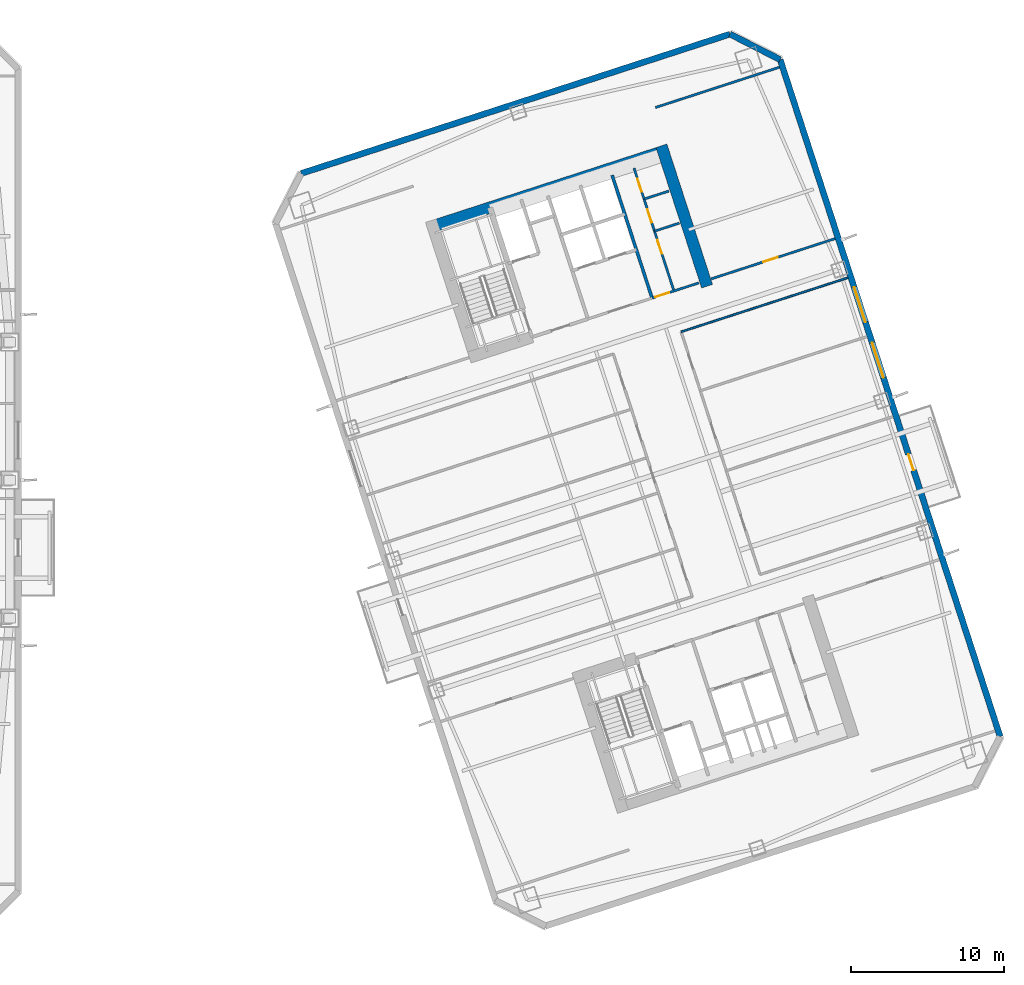
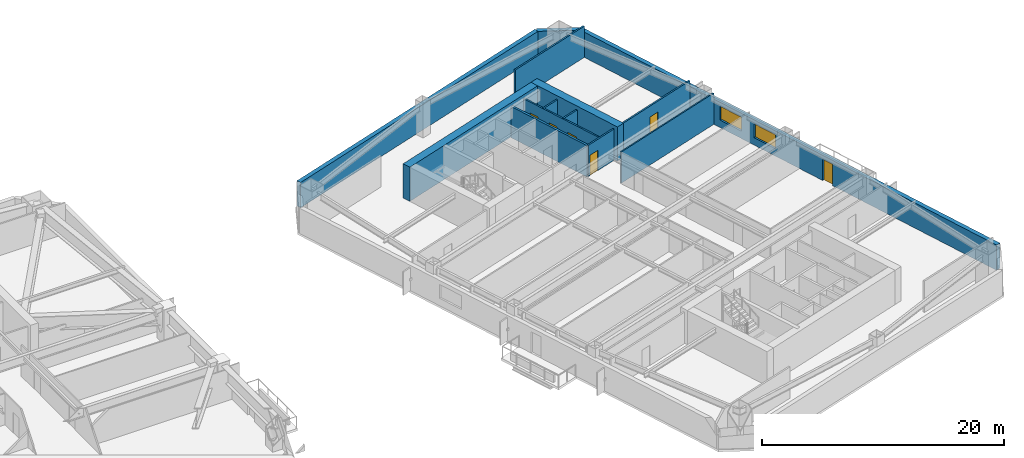
# One storey, part 11 of 19: 13 walls, 6 doors, 2 windows, 8 openings.
"""IFC4 building model written with IfcOpenShell, lengths in metres."""

from ifc_helpers import new_model, si_unit, direction, frame, frame_2d, origin, place, context, subcontext, project, spatial, rectangle, extrude, material, layer, layer_set, type_object, element, fill, save


model = new_model("IFC4")

# Units and contexts
model_context = context("Model", 3, precision=1e-05, world=origin(), true_north=direction((0.0, 1.0)))
body_context = subcontext(model_context, "Body", "Model", "MODEL_VIEW")
ifc_project = project(units=[si_unit("LENGTHUNIT", "METRE"), si_unit("AREAUNIT", "SQUARE_METRE"), si_unit("VOLUMEUNIT", "CUBIC_METRE"), si_unit("PLANEANGLEUNIT", "RADIAN"), si_unit("MASSUNIT", "GRAM", prefix="KILO")], contexts=[model_context])

# Site, building, storey
site_placement = place(None, origin())
site = spatial("IfcSite", under=ifc_project, at=site_placement, CompositionType="ELEMENT")
building_placement = place(site_placement, origin())
building = spatial("IfcBuilding", under=site, at=building_placement, Name="Qiaolan Cultural Towers", CompositionType="ELEMENT")
storey_placement = place(building_placement, frame((0.0, 0.0, 88.550048828125)))
storey = spatial("IfcBuildingStorey", under=building, at=storey_placement, Name="L22", CompositionType="ELEMENT", Elevation=88.550048828125)

# Walls
ifc_material_1 = material(Name="Concrete C60", Category="concrete")
ifc_layer_1 = layer(ifc_material_1, 0.75)
ifc_layer_set_1 = layer_set([ifc_layer_1], Name="Concrete C60")
wall_type_1 = type_object("IfcWallType", Name="WL-CORE-750", PredefinedType="SHEAR", material=ifc_layer_set_1)
wall_1_placement = place(storey_placement, frame((76.27197265625, 50.442626953125, 0.0), z_axis=(0.0, 0.0, 1.0), x_axis=(0.951056072937, 0.309018358888, 0.0)))
element("IfcWall", 1, at=wall_1_placement, inside=storey, type_object=wall_type_1, Name="L22 T2-CN Outer Core Shear Wall", PredefinedType="SHEAR", context=body_context, shape_type="SweptSolid", body=[
    extrude(rectangle(XDim=16.550048828125, YDim=0.75, at=frame_2d((8.27490234375, 0.0))), origin(), (0.0, 0.0, 1.0), 3.449951171875),
])
wall_2_placement = place(storey_placement, frame((94.515380859375, 46.638916015625, 0.0), z_axis=(0.0, 0.0, 1.0), x_axis=(-0.309016134813, 0.951056795583, 0.0)))
element("IfcWall", 2, at=wall_2_placement, inside=storey, type_object=wall_type_1, Name="L22 T2-CN East Core Shear Wall", PredefinedType="SHEAR", context=body_context, shape_type="SweptSolid", body=[
    extrude(rectangle(XDim=9.630126953125, YDim=0.75, at=frame_2d((4.81494140625, 0.0))), origin(), (0.0, 0.0, 1.0), 3.449951171875),
])
ifc_material_2 = material(Name="Precast Concrete C50 Honed Stone Pier", Category="masonry")
ifc_layer_2 = layer(ifc_material_2, 0.39990234375)
ifc_layer_set_2 = layer_set([ifc_layer_2], Name="Precast Concrete C50 Honed Stone Pier")
wall_type_2 = type_object("IfcWallType", Name="WL-EXT-PIER-400", PredefinedType="SOLIDWALL", material=ifc_layer_set_2)
wall_3_placement = place(storey_placement, frame((68.046875, 53.99462890625, 0.0), z_axis=(0.0, 0.0, 1.0), x_axis=(0.95105505922, 0.309021478754, 0.0)))
element("IfcWall", 3, at=wall_3_placement, inside=storey, type_object=wall_type_2, Name="L22 East Tower Precast Pier Facade Wall F3", PredefinedType="SOLIDWALL", context=body_context, shape_type="SweptSolid", body=[
    extrude(rectangle(XDim=29.39990234375, YDim=0.39990234375, at=frame_2d((14.699951171875, 0.0))), origin(), (0.0, 0.0, 1.0), 2.550048828125),
])
wall_4_placement = place(storey_placement, frame((96.0078125, 63.079833984375, 0.0), z_axis=(0.0, 0.0, 1.0), x_axis=(0.891001999643, -0.45399937955, 0.0)))
element("IfcWall", 4, at=wall_4_placement, inside=storey, type_object=wall_type_2, Name="L22 East Tower Precast Pier Facade Wall F4", PredefinedType="SOLIDWALL", context=body_context, shape_type="SweptSolid", body=[
    extrude(rectangle(XDim=3.67724609375, YDim=0.39990234375, at=frame_2d((1.838623046875, 0.0))), origin(), (0.0, 0.0, 1.0), 2.550048828125),
])

# Wall, openings, door, windows
wall_5_placement = place(storey_placement, frame((99.2841796875, 61.410400390625, 0.0), z_axis=(0.0, 0.0, 1.0), x_axis=(0.309017542002, -0.95105633836, 0.0)))
wall_5 = element("IfcWall", 5, at=wall_5_placement, inside=storey, type_object=wall_type_2, Name="L22 East Tower Precast Pier Facade Wall F5", PredefinedType="SOLIDWALL", context=body_context, shape_type="SweptSolid", body=[
    extrude(rectangle(XDim=46.39990234375, YDim=0.39990234375, at=frame_2d((23.199951171875, 0.0))), origin(), (0.0, 0.0, 1.0), 2.550048828125),
])
opening_1_placement = place(wall_5_placement, frame((19.39990234375, 0.0, 0.75)))
opening_1 = element("IfcOpeningElement", 6, at=opening_1_placement, cuts=wall_5, Name="Opening W-02", PredefinedType="OPENING", context=body_context, shape_type="SweptSolid", body=[
    extrude(rectangle(XDim=2.39990234375, YDim=1.39990234375, at=frame_2d((1.199951171875, 0.699951171875))), frame((0.0, 0.2099609375, 0.0), z_axis=(0.0, -1.0, 0.0), x_axis=(1.0, 0.0, 0.0)), (0.0, 0.0, 1.0), 0.419921875),
])
opening_2_placement = place(wall_5_placement, frame((15.60009765625, 0.0, 0.75)))
opening_2 = element("IfcOpeningElement", 7, at=opening_2_placement, cuts=wall_5, Name="Opening W-02", PredefinedType="OPENING", context=body_context, shape_type="SweptSolid", body=[
    extrude(rectangle(XDim=2.39990234375, YDim=1.39990234375, at=frame_2d((1.199951171875, 0.699951171875))), frame((0.0, 0.2099609375, 0.0), z_axis=(0.0, -1.0, 0.0), x_axis=(1.0, 0.0, 0.0)), (0.0, 0.0, 1.0), 0.419921875),
])
opening_3_placement = place(wall_5_placement, frame((27.050048828125, 0.0, 0.0)))
opening_3 = element("IfcOpeningElement", 8, at=opening_3_placement, cuts=wall_5, Name="Opening BD-01", PredefinedType="OPENING", context=body_context, shape_type="SweptSolid", body=[
    extrude(rectangle(XDim=1.10009765625, YDim=2.14990234375, at=frame_2d((0.550048828125, 1.074951171875))), frame((0.0, 0.2099609375, 0.0), z_axis=(0.0, -1.0, 0.0), x_axis=(1.0, 0.0, 0.0)), (0.0, 0.0, 1.0), 0.419921875),
])
ifc_material_3 = material(Name="Thermally Broken Aluminium Glazed Terrace Door", Category="aluminium")
door_type_1 = type_object("IfcDoorType", Name="DR-BAL-1100", OperationType="NOTDEFINED", PredefinedType="DOOR", material=ifc_material_3)
door_1_placement = place(opening_3_placement, origin())
door_1 = element("IfcDoor", 9, at=door_1_placement, inside=storey, type_object=door_type_1, Name="L22 T2 East Tree Balcony Door", OperationType="SINGLE_SWING_RIGHT", OverallHeight=2.14990234375, OverallWidth=1.10009765625, PredefinedType="DOOR", context=body_context, shape_type="SweptSolid", body=[
    extrude(rectangle(XDim=1.10009765625, YDim=2.14990234375, at=frame_2d((0.550048828125, 1.074951171875))), frame((0.0, 0.02490234375, 0.0), z_axis=(0.0, -1.0, 0.0), x_axis=(1.0, 0.0, 0.0)), (0.0, 0.0, 1.0), 0.050048828125),
])
fill(opening_3, door_1)
ifc_material_4 = material(Name="Thermally Broken Aluminium Triple Low-E Glazing", Category="aluminium")
window_type = type_object("IfcWindowType", Name="WN-CHIC-2400", PartitioningType="SINGLE_PANEL", PredefinedType="WINDOW", material=ifc_material_4)
window_1_placement = place(opening_1_placement, origin())
window_1 = element("IfcWindow", 10, at=window_1_placement, inside=storey, type_object=window_type, Name="L22 T2 E Chicago Bay Window 1", OverallHeight=1.39990234375, OverallWidth=2.39990234375, PartitioningType="TRIPLE_PANEL_VERTICAL", PredefinedType="WINDOW", context=body_context, shape_type="SweptSolid", body=[
    extrude(rectangle(XDim=2.39990234375, YDim=1.39990234375, at=frame_2d((1.199951171875, 0.699951171875))), frame((0.0, 0.030029296875, 0.0), z_axis=(0.0, -1.0, 0.0), x_axis=(1.0, 0.0, 0.0)), (0.0, 0.0, 1.0), 0.06005859375),
])
fill(opening_1, window_1)
window_2_placement = place(opening_2_placement, origin())
window_2 = element("IfcWindow", 11, at=window_2_placement, inside=storey, type_object=window_type, Name="L22 T2 E Chicago Bay Window 2", OverallHeight=1.39990234375, OverallWidth=2.39990234375, PartitioningType="TRIPLE_PANEL_VERTICAL", PredefinedType="WINDOW", context=body_context, shape_type="SweptSolid", body=[
    extrude(rectangle(XDim=2.39990234375, YDim=1.39990234375, at=frame_2d((1.199951171875, 0.699951171875))), frame((0.0, 0.030029296875, 0.0), z_axis=(0.0, -1.0, 0.0), x_axis=(1.0, 0.0, 0.0)), (0.0, 0.0, 1.0), 0.06005859375),
])
fill(opening_2, window_2)

# Walls
ifc_material_5 = material(Name="Concrete C35 Fire Wall", Category="concrete")
ifc_layer_3 = layer(ifc_material_5, 0.199951171875)
ifc_layer_set_3 = layer_set([ifc_layer_3], Name="Concrete C35 Fire Wall")
wall_type_3 = type_object("IfcWallType", Name="WL-FIRE-200", PredefinedType="PARTITIONING", material=ifc_layer_set_3)
wall_6_placement = place(storey_placement, frame((90.92822265625, 45.86767578125, 0.0), z_axis=(0.0, 0.0, 1.0), x_axis=(-0.309042196757, 0.951048327176, 0.0)))
element("IfcWall", 12, at=wall_6_placement, inside=storey, type_object=wall_type_3, Name="L22 T2-CN Lift Core East Wall", PredefinedType="PARTITIONING", context=body_context, shape_type="SweptSolid", body=[
    extrude(rectangle(XDim=8.429931640625, YDim=0.199951171875, at=frame_2d((4.21484375, 0.0))), origin(), (0.0, 0.0, 1.0), 3.155029296875),
])
ifc_material_6 = material(Name="Gypsum Stud Acoustic Partition", Category="gypsum")
ifc_layer_4 = layer(ifc_material_6, 0.1201171875)
ifc_layer_set_4 = layer_set([ifc_layer_4], Name="Gypsum Stud Acoustic Partition")
wall_type_4 = type_object("IfcWallType", Name="WL-PART-120", PredefinedType="PARTITIONING", material=ifc_layer_set_4)
wall_7_placement = place(storey_placement, frame((92.826171875, 43.66650390625, 0.0), z_axis=(0.0, 0.0, 1.0), x_axis=(0.951057778088, 0.309013110947, 0.0)))
element("IfcWall", 13, at=wall_7_placement, inside=storey, type_object=wall_type_4, Name="L22 T2 North Corridor Right Wall", PredefinedType="PARTITIONING", context=body_context, shape_type="SweptSolid", body=[
    extrude(rectangle(XDim=11.425048828125, YDim=0.1201171875, at=frame_2d((5.71240234375, 0.0))), origin(), (0.0, 0.0, 1.0), 3.155029296875),
])

# Wall, opening, door
ifc_material_7 = material(Name="Autoclaved Aerated Concrete Block B06", Category="concrete")
ifc_layer_5 = layer(ifc_material_7, 0.14990234375)
ifc_layer_set_5 = layer_set([ifc_layer_5], Name="Autoclaved Aerated Concrete Block B06")
wall_type_5 = type_object("IfcWallType", Name="WL-PART-150", PredefinedType="PARTITIONING", material=ifc_layer_set_5)
wall_8_placement = place(storey_placement, frame((90.92822265625, 45.86767578125, 0.0), z_axis=(0.0, 0.0, 1.0), x_axis=(0.951059297078, 0.309008435874, 0.0)))
wall_8 = element("IfcWall", 14, at=wall_8_placement, inside=storey, type_object=wall_type_5, Name="L22 T2-CN Sanitary Core Front Wall", PredefinedType="PARTITIONING", context=body_context, shape_type="SweptSolid", body=[
    extrude(rectangle(XDim=3.19970703125, YDim=0.14990234375, at=frame_2d((1.599853515625, 0.0))), origin(), (0.0, 0.0, 1.0), 3.155029296875),
])
opening_4_placement = place(wall_8_placement, frame((0.219970703125, 0.0, 0.0)))
opening_4 = element("IfcOpeningElement", 15, at=opening_4_placement, cuts=wall_8, Name="Opening ID-05", PredefinedType="OPENING", context=body_context, shape_type="SweptSolid", body=[
    extrude(rectangle(XDim=0.949951171875, YDim=2.050048828125, at=frame_2d((0.47509765625, 1.02490234375))), frame((0.0, 0.0849609375, 0.0), z_axis=(0.0, -1.0, 0.0), x_axis=(1.0, 0.0, 0.0)), (0.0, 0.0, 1.0), 0.169921875),
])
ifc_material_8 = material(Name="Fire-Rated Laminate Accessible Core Door", Category="timber")
door_type_2 = type_object("IfcDoorType", Name="DR-INT-950", OperationType="NOTDEFINED", PredefinedType="DOOR", material=ifc_material_8)
door_2_placement = place(opening_4_placement, origin())
door_2 = element("IfcDoor", 16, at=door_2_placement, inside=storey, type_object=door_type_2, Name="L22 Sanitary Vestibule Door", OperationType="SINGLE_SWING_LEFT", OverallHeight=2.050048828125, OverallWidth=0.949951171875, PredefinedType="DOOR", context=body_context, shape_type="SweptSolid", body=[
    extrude(rectangle(XDim=0.949951171875, YDim=2.050048828125, at=frame_2d((0.47509765625, 1.02490234375))), frame((0.0, 0.02490234375, 0.0), z_axis=(0.0, -1.0, 0.0), x_axis=(1.0, 0.0, 0.0)), (0.0, 0.0, 1.0), 0.050048828125),
])
fill(opening_4, door_2)

# Wall, openings, doors
wall_9_placement = place(storey_placement, frame((92.354736328125, 46.3310546875, 0.0), z_axis=(0.0, 0.0, 1.0), x_axis=(-0.309007490203, 0.951059604335, 0.0)))
wall_9 = element("IfcWall", 17, at=wall_9_placement, inside=storey, type_object=wall_type_5, Name="L22 T2-CN Sanitary Vestibule Wall", PredefinedType="PARTITIONING", context=body_context, shape_type="SweptSolid", body=[
    extrude(rectangle(XDim=8.43017578125, YDim=0.14990234375, at=frame_2d((4.215087890625, 0.0))), origin(), (0.0, 0.0, 1.0), 3.155029296875),
])
opening_5_placement = place(wall_9_placement, frame((2.550048828125, 0.0, 0.0)))
opening_5 = element("IfcOpeningElement", 18, at=opening_5_placement, cuts=wall_9, Name="Opening ID-05", PredefinedType="OPENING", context=body_context, shape_type="SweptSolid", body=[
    extrude(rectangle(XDim=0.949951171875, YDim=2.050048828125, at=frame_2d((0.47509765625, 1.02490234375))), frame((0.0, 0.0849609375, 0.0), z_axis=(0.0, -1.0, 0.0), x_axis=(1.0, 0.0, 0.0)), (0.0, 0.0, 1.0), 0.169921875),
])
opening_6_placement = place(wall_9_placement, frame((4.699951171875, 0.0, 0.0)))
opening_6 = element("IfcOpeningElement", 19, at=opening_6_placement, cuts=wall_9, Name="Opening ID-06", PredefinedType="OPENING", context=body_context, shape_type="SweptSolid", body=[
    extrude(rectangle(XDim=0.89990234375, YDim=2.050048828125, at=frame_2d((0.449951171875, 1.02490234375))), frame((0.0, 0.0849609375, 0.0), z_axis=(0.0, -1.0, 0.0), x_axis=(1.0, 0.0, 0.0)), (0.0, 0.0, 1.0), 0.169921875),
])
opening_7_placement = place(wall_9_placement, frame((6.800048828125, 0.0, 0.0)))
opening_7 = element("IfcOpeningElement", 20, at=opening_7_placement, cuts=wall_9, Name="Opening ID-06", PredefinedType="OPENING", context=body_context, shape_type="SweptSolid", body=[
    extrude(rectangle(XDim=0.89990234375, YDim=2.050048828125, at=frame_2d((0.449951171875, 1.02490234375))), frame((0.0, 0.0849609375, 0.0), z_axis=(0.0, -1.0, 0.0), x_axis=(1.0, 0.0, 0.0)), (0.0, 0.0, 1.0), 0.169921875),
])
ifc_material_9 = material(Name="Fire-Rated Laminate Core Service Door", Category="timber")
door_type_3 = type_object("IfcDoorType", Name="DR-INT-900", OperationType="NOTDEFINED", PredefinedType="DOOR", material=ifc_material_9)
door_3_placement = place(opening_6_placement, origin())
door_3 = element("IfcDoor", 21, at=door_3_placement, inside=storey, type_object=door_type_3, Name="L22 Men Washroom Door", OperationType="SINGLE_SWING_LEFT", OverallHeight=2.050048828125, OverallWidth=0.89990234375, PredefinedType="DOOR", context=body_context, shape_type="SweptSolid", body=[
    extrude(rectangle(XDim=0.89990234375, YDim=2.050048828125, at=frame_2d((0.449951171875, 1.02490234375))), frame((0.0, 0.02490234375, 0.0), z_axis=(0.0, -1.0, 0.0), x_axis=(1.0, 0.0, 0.0)), (0.0, 0.0, 1.0), 0.050048828125),
])
fill(opening_6, door_3)
door_4_placement = place(opening_7_placement, origin())
door_4 = element("IfcDoor", 22, at=door_4_placement, inside=storey, type_object=door_type_3, Name="L22 Women Washroom Door", OperationType="SINGLE_SWING_RIGHT", OverallHeight=2.050048828125, OverallWidth=0.89990234375, PredefinedType="DOOR", context=body_context, shape_type="SweptSolid", body=[
    extrude(rectangle(XDim=0.89990234375, YDim=2.050048828125, at=frame_2d((0.449951171875, 1.02490234375))), frame((0.0, 0.02490234375, 0.0), z_axis=(0.0, -1.0, 0.0), x_axis=(1.0, 0.0, 0.0)), (0.0, 0.0, 1.0), 0.050048828125),
])
fill(opening_7, door_4)
door_5_placement = place(opening_5_placement, origin())
door_5 = element("IfcDoor", 23, at=door_5_placement, inside=storey, type_object=door_type_2, Name="L22 Accessible Family Washroom Door", OperationType="SINGLE_SWING_LEFT", OverallHeight=2.050048828125, OverallWidth=0.949951171875, PredefinedType="DOOR", context=body_context, shape_type="SweptSolid", body=[
    extrude(rectangle(XDim=0.949951171875, YDim=2.050048828125, at=frame_2d((0.47509765625, 1.02490234375))), frame((0.0, 0.02490234375, 0.0), z_axis=(0.0, -1.0, 0.0), x_axis=(1.0, 0.0, 0.0)), (0.0, 0.0, 1.0), 0.050048828125),
])
fill(opening_5, door_5)

# Walls
wall_10_placement = place(storey_placement, frame((91.087646484375, 50.23046875, 0.0), z_axis=(0.0, 0.0, 1.0), x_axis=(0.951054116971, 0.309024378638, 0.0)))
element("IfcWall", 24, at=wall_10_placement, inside=storey, type_object=wall_type_5, Name="L22 T2-CN Restroom Split Wall 1", PredefinedType="PARTITIONING", context=body_context, shape_type="SweptSolid", body=[
    extrude(rectangle(XDim=1.7001953125, YDim=0.14990234375, at=frame_2d((0.85009765625, 0.0))), origin(), (0.0, 0.0, 1.0), 3.155029296875),
])
wall_11_placement = place(storey_placement, frame((90.407958984375, 52.32275390625, 0.0), z_axis=(0.0, 0.0, 1.0), x_axis=(0.951040401051, 0.309066587596, 0.0)))
element("IfcWall", 25, at=wall_11_placement, inside=storey, type_object=wall_type_5, Name="L22 T2-CN Restroom Split Wall 2", PredefinedType="PARTITIONING", context=body_context, shape_type="SweptSolid", body=[
    extrude(rectangle(XDim=1.699951171875, YDim=0.14990234375, at=frame_2d((0.85009765625, 0.0))), origin(), (0.0, 0.0, 1.0), 3.155029296875),
])
wall_12_placement = place(storey_placement, frame((91.14892578125, 58.294189453125, 0.0), z_axis=(0.0, 0.0, 1.0), x_axis=(0.951062770994, 0.308997743729, 0.0)))
element("IfcWall", 26, at=wall_12_placement, inside=storey, type_object=wall_type_5, Name="L22 T2 Flank Wall FLK-NE", PredefinedType="PARTITIONING", context=body_context, shape_type="SweptSolid", body=[
    extrude(rectangle(XDim=8.5, YDim=0.14990234375, at=frame_2d((4.25, 0.0))), origin(), (0.0, 0.0, 1.0), 3.155029296875),
])

# Wall, opening, door
wall_13_placement = place(storey_placement, frame((94.77978515625, 47.119140625, 0.0), z_axis=(0.0, 0.0, 1.0), x_axis=(0.951054329824, 0.309023723562, 0.0)))
wall_13 = element("IfcWall", 27, at=wall_13_placement, inside=storey, type_object=wall_type_5, Name="L22 T2 Flank Front FLK-NE", PredefinedType="PARTITIONING", context=body_context, shape_type="SweptSolid", body=[
    extrude(rectangle(XDim=8.5, YDim=0.14990234375, at=frame_2d((4.25, 0.0))), origin(), (0.0, 0.0, 1.0), 3.155029296875),
])
opening_8_placement = place(wall_13_placement, frame((3.570068359375, 0.0, 0.0)))
opening_8 = element("IfcOpeningElement", 28, at=opening_8_placement, cuts=wall_13, Name="Opening ID-04", PredefinedType="OPENING", context=body_context, shape_type="SweptSolid", body=[
    extrude(rectangle(XDim=1.0, YDim=2.050048828125, at=frame_2d((0.5, 1.02490234375))), frame((0.0, 0.0849609375, 0.0), z_axis=(0.0, -1.0, 0.0), x_axis=(1.0, 0.0, 0.0)), (0.0, 0.0, 1.0), 0.169921875),
])
ifc_material_10 = material(Name="Oak Veneer Acoustic Office Door", Category="timber")
door_type_4 = type_object("IfcDoorType", Name="DR-INT-1000", OperationType="NOTDEFINED", PredefinedType="DOOR", material=ifc_material_10)
door_6_placement = place(opening_8_placement, origin())
door_6 = element("IfcDoor", 29, at=door_6_placement, inside=storey, type_object=door_type_4, Name="L22 T2 Corner Studio Door", OperationType="SINGLE_SWING_LEFT", OverallHeight=2.050048828125, OverallWidth=1.0, PredefinedType="DOOR", context=body_context, shape_type="SweptSolid", body=[
    extrude(rectangle(XDim=1.0, YDim=2.050048828125, at=frame_2d((0.5, 1.02490234375))), frame((0.0, 0.02490234375, 0.0), z_axis=(0.0, -1.0, 0.0), x_axis=(1.0, 0.0, 0.0)), (0.0, 0.0, 1.0), 0.050048828125),
])
fill(opening_8, door_6)

save(model, "model.ifc")
